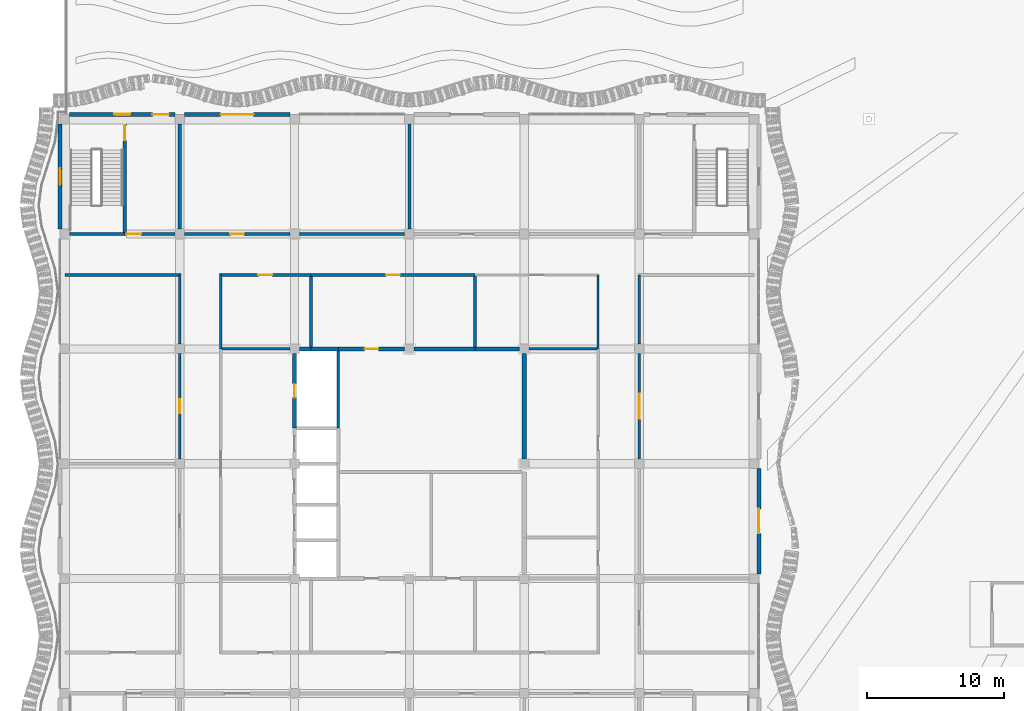
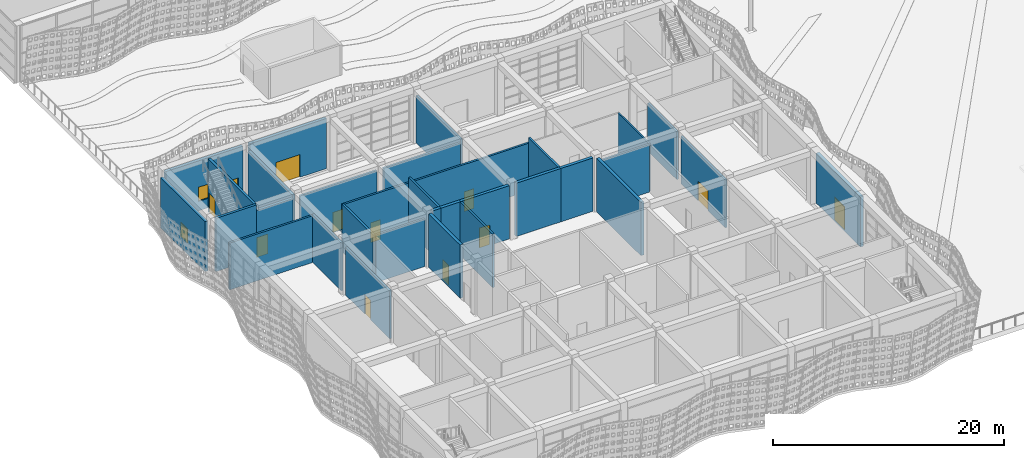
# One storey, part 100 of 210: 32 walls, 12 doors, 2 windows, 14 openings.
"""IFC4 building model written with IfcOpenShell, lengths in metres."""

from ifc_helpers import new_model, si_unit, direction, frame, frame_2d, origin, place, context, subcontext, project, spatial, rectangle, extrude, material, layer, layer_set, type_object, element, fill, save


model = new_model("IFC4")

# Units and contexts
model_context = context("Model", 3, precision=1e-05, world=origin(), true_north=direction((0.0, 1.0)))
body_context = subcontext(model_context, "Body", "Model", "MODEL_VIEW")
ifc_project = project(units=[si_unit("LENGTHUNIT", "METRE"), si_unit("AREAUNIT", "SQUARE_METRE"), si_unit("VOLUMEUNIT", "CUBIC_METRE"), si_unit("PLANEANGLEUNIT", "RADIAN"), si_unit("MASSUNIT", "GRAM", prefix="KILO")], contexts=[model_context])

# Site, building, storey
site_placement = place(None, origin())
site = spatial("IfcSite", under=ifc_project, at=site_placement, CompositionType="ELEMENT")
building_placement = place(site_placement, origin())
building = spatial("IfcBuilding", under=site, at=building_placement, Name="Rain Tree Exposition and Congress Centre", CompositionType="ELEMENT")
storey_placement = place(building_placement, origin())
storey = spatial("IfcBuildingStorey", under=building, at=storey_placement, Name="L00", CompositionType="ELEMENT", Elevation=0.0)

# Walls
ifc_material_1 = material(Name="Plasterboard on steel stud", Category="steel")
ifc_layer_1 = layer(ifc_material_1, 0.199951171875)
ifc_layer_set_1 = layer_set([ifc_layer_1], Name="Plasterboard on steel stud")
wall_type_1 = type_object("IfcWallType", Name="Wing acoustic partition 200", PredefinedType="PARTITIONING", material=ifc_layer_set_1)
wall_1_placement = place(storey_placement, frame((11.5, 33.60009765625, 0.0), z_axis=(0.0, 0.0, 1.0), x_axis=(1.0, 0.0, 0.0)))
element("IfcWall", 1, at=wall_1_placement, inside=storey, type_object=wall_type_1, Name="wing/wall/L00/031", PredefinedType="PARTITIONING", context=body_context, shape_type="SweptSolid", body=[
    extrude(rectangle(XDim=4.949951171875, YDim=0.199951171875, at=frame_2d((2.47509765625, 0.0))), origin(), (0.0, 0.0, 1.0), 5.050048828125),
])
wall_2_placement = place(storey_placement, frame((0.0, 39.0, 0.0), z_axis=(0.0, 0.0, 1.0), x_axis=(1.0, 0.0, 0.0)))
element("IfcWall", 2, at=wall_2_placement, inside=storey, type_object=wall_type_1, Name="wing/wall/L00/038", PredefinedType="PARTITIONING", context=body_context, shape_type="SweptSolid", body=[
    extrude(rectangle(XDim=8.5, YDim=0.199951171875, at=frame_2d((4.25, 0.0))), origin(), (0.0, 0.0, 1.0), 4.949951171875),
])

# Wall, opening, door
wall_3_placement = place(storey_placement, frame((11.300048828125, 39.0, 0.0), z_axis=(0.0, 0.0, 1.0), x_axis=(1.0, 0.0, 0.0)))
wall_3 = element("IfcWall", 3, at=wall_3_placement, inside=storey, type_object=wall_type_1, Name="wing/wall/L00/039", PredefinedType="PARTITIONING", context=body_context, shape_type="SweptSolid", body=[
    extrude(rectangle(XDim=6.699951171875, YDim=0.199951171875, at=frame_2d((3.35009765625, 0.0))), origin(), (0.0, 0.0, 1.0), 5.050048828125),
])
opening_1_placement = place(wall_3_placement, frame((2.85009765625, 0.0, 0.0)))
opening_1 = element("IfcOpeningElement", 4, at=opening_1_placement, cuts=wall_3, Name="Opening DW133", PredefinedType="OPENING", context=body_context, shape_type="SweptSolid", body=[
    extrude(rectangle(XDim=1.0, YDim=2.10009765625, at=frame_2d((0.5, 1.050048828125))), frame((0.0, 0.10009765625, 0.0), z_axis=(0.0, -1.0, 0.0), x_axis=(1.0, 0.0, 0.0)), (0.0, 0.0, 1.0), 0.199951171875),
])
ifc_material_2 = material(Name="Timber door leaf", Category="wood")
door_type_1 = type_object("IfcDoorType", Name="Wing door FD30S 1000x2100", OperationType="NOTDEFINED", PredefinedType="DOOR", material=ifc_material_2)
door_1_placement = place(opening_1_placement, origin())
door_1 = element("IfcDoor", 5, at=door_1_placement, inside=storey, type_object=door_type_1, Name="Door DW133", OperationType="SINGLE_SWING_LEFT", OverallHeight=2.10009765625, OverallWidth=1.0, PredefinedType="DOOR", context=body_context, shape_type="SweptSolid", body=[
    extrude(rectangle(XDim=1.0, YDim=2.10009765625, at=frame_2d((0.5, 1.050048828125))), frame((0.0, 0.02490234375, 0.0), z_axis=(0.0, -1.0, 0.0), x_axis=(1.0, 0.0, 0.0)), (0.0, 0.0, 1.0), 0.050048828125),
])
fill(opening_1, door_1)

wall_4_placement = place(storey_placement, frame((8.75, 42.0, 0.0), z_axis=(0.0, 0.0, 1.0), x_axis=(1.0, 0.0, 0.0)))
wall_4 = element("IfcWall", 6, at=wall_4_placement, inside=storey, type_object=wall_type_1, Name="wing/wall/L00/045", PredefinedType="PARTITIONING", context=body_context, shape_type="SweptSolid", body=[
    extrude(rectangle(XDim=7.699951171875, YDim=0.199951171875, at=frame_2d((3.85009765625, 0.0))), origin(), (0.0, 0.0, 1.0), 5.050048828125),
])
opening_2_placement = place(wall_4_placement, frame((3.35009765625, 0.0, 0.0)))
opening_2 = element("IfcOpeningElement", 7, at=opening_2_placement, cuts=wall_4, Name="Opening DW129", PredefinedType="OPENING", context=body_context, shape_type="SweptSolid", body=[
    extrude(rectangle(XDim=1.0, YDim=2.10009765625, at=frame_2d((0.5, 1.050048828125))), frame((0.0, 0.10009765625, 0.0), z_axis=(0.0, -1.0, 0.0), x_axis=(1.0, 0.0, 0.0)), (0.0, 0.0, 1.0), 0.199951171875),
])
door_2_placement = place(opening_2_placement, origin())
door_2 = element("IfcDoor", 8, at=door_2_placement, inside=storey, type_object=door_type_1, Name="Door DW129", OperationType="SINGLE_SWING_LEFT", OverallHeight=2.10009765625, OverallWidth=1.0, PredefinedType="DOOR", context=body_context, shape_type="SweptSolid", body=[
    extrude(rectangle(XDim=1.0, YDim=2.10009765625, at=frame_2d((0.5, 1.050048828125))), frame((0.0, 0.02490234375, 0.0), z_axis=(0.0, -1.0, 0.0), x_axis=(1.0, 0.0, 0.0)), (0.0, 0.0, 1.0), 0.050048828125),
])
fill(opening_2, door_2)

# Wall
wall_5_placement = place(storey_placement, frame((17.14990234375, 42.0, 0.0), z_axis=(0.0, 0.0, 1.0), x_axis=(1.0, 0.0, 0.0)))
element("IfcWall", 9, at=wall_5_placement, inside=storey, type_object=wall_type_1, Name="wing/wall/L00/046", PredefinedType="PARTITIONING", context=body_context, shape_type="SweptSolid", body=[
    extrude(rectangle(XDim=7.7001953125, YDim=0.199951171875, at=frame_2d((3.85009765625, 0.0))), origin(), (0.0, 0.0, 1.0), 5.050048828125),
])

# Wall, opening, door
wall_6_placement = place(storey_placement, frame((8.39990234375, 25.550048828125, 0.0), z_axis=(0.0, 0.0, 1.0), x_axis=(0.0, 1.0, 0.0)))
wall_6 = element("IfcWall", 10, at=wall_6_placement, inside=storey, type_object=wall_type_1, Name="wing/wall/L00/056", PredefinedType="PARTITIONING", context=body_context, shape_type="SweptSolid", body=[
    extrude(rectangle(XDim=7.699951171875, YDim=0.199951171875, at=frame_2d((3.85009765625, 0.0))), origin(), (0.0, 0.0, 1.0), 5.050048828125),
])
opening_3_placement = place(wall_6_placement, frame((3.35009765625, 0.0, 0.0)))
opening_3 = element("IfcOpeningElement", 11, at=opening_3_placement, cuts=wall_6, Name="Opening DW128", PredefinedType="OPENING", context=body_context, shape_type="SweptSolid", body=[
    extrude(rectangle(XDim=1.0, YDim=2.10009765625, at=frame_2d((0.5, 1.050048828125))), frame((0.0, 0.10009765625, 0.0), z_axis=(0.0, -1.0, 0.0), x_axis=(1.0, 0.0, 0.0)), (0.0, 0.0, 1.0), 0.199951171875),
])
door_3_placement = place(opening_3_placement, origin())
door_3 = element("IfcDoor", 12, at=door_3_placement, inside=storey, type_object=door_type_1, Name="Door DW128", OperationType="SINGLE_SWING_LEFT", OverallHeight=2.10009765625, OverallWidth=1.0, PredefinedType="DOOR", context=body_context, shape_type="SweptSolid", body=[
    extrude(rectangle(XDim=1.0, YDim=2.10009765625, at=frame_2d((0.5, 1.050048828125))), frame((0.0, 0.02490234375, 0.0), z_axis=(0.0, -1.0, 0.0), x_axis=(1.0, 0.0, 0.0)), (0.0, 0.0, 1.0), 0.050048828125),
])
fill(opening_3, door_3)

# Walls
wall_7_placement = place(storey_placement, frame((8.39990234375, 33.949951171875, 0.0), z_axis=(0.0, 0.0, 1.0), x_axis=(0.0, 1.0, 0.0)))
element("IfcWall", 13, at=wall_7_placement, inside=storey, type_object=wall_type_1, Name="wing/wall/L00/057", PredefinedType="PARTITIONING", context=body_context, shape_type="SweptSolid", body=[
    extrude(rectangle(XDim=5.050048828125, YDim=0.199951171875, at=frame_2d((2.52490234375, 0.0))), origin(), (0.0, 0.0, 1.0), 5.050048828125),
])
wall_8_placement = place(storey_placement, frame((11.39990234375, 33.60009765625, 0.0), z_axis=(0.0, 0.0, 1.0), x_axis=(0.0, 1.0, 0.0)))
element("IfcWall", 14, at=wall_8_placement, inside=storey, type_object=wall_type_1, Name="wing/wall/L00/061", PredefinedType="PARTITIONING", context=body_context, shape_type="SweptSolid", body=[
    extrude(rectangle(XDim=5.39990234375, YDim=0.199951171875, at=frame_2d((2.699951171875, 0.0))), origin(), (0.0, 0.0, 1.0), 5.050048828125),
])
wall_9_placement = place(storey_placement, frame((25.199951171875, 42.35009765625, 0.0), z_axis=(0.0, 0.0, 1.0), x_axis=(0.0, 1.0, 0.0)))
element("IfcWall", 15, at=wall_9_placement, inside=storey, type_object=wall_type_1, Name="wing/wall/L00/076", PredefinedType="PARTITIONING", context=body_context, shape_type="SweptSolid", body=[
    extrude(rectangle(XDim=7.699951171875, YDim=0.199951171875, at=frame_2d((3.85009765625, 0.0))), origin(), (0.0, 0.0, 1.0), 5.050048828125),
])

# Wall, opening, door
wall_10_placement = place(storey_placement, frame((42.0, 25.550048828125, 0.0), z_axis=(0.0, 0.0, 1.0), x_axis=(0.0, 1.0, 0.0)))
wall_10 = element("IfcWall", 16, at=wall_10_placement, inside=storey, type_object=wall_type_1, Name="wing/wall/L00/091", PredefinedType="PARTITIONING", context=body_context, shape_type="SweptSolid", body=[
    extrude(rectangle(XDim=7.699951171875, YDim=0.199951171875, at=frame_2d((3.85009765625, 0.0))), origin(), (0.0, 0.0, 1.0), 5.050048828125),
])
opening_4_placement = place(wall_10_placement, frame((2.949951171875, 0.0, 0.0)))
opening_4 = element("IfcOpeningElement", 17, at=opening_4_placement, cuts=wall_10, Name="Opening DW126", PredefinedType="OPENING", context=body_context, shape_type="SweptSolid", body=[
    extrude(rectangle(XDim=1.800048828125, YDim=2.10009765625, at=frame_2d((0.89990234375, 1.050048828125))), frame((0.0, 0.10009765625, 0.0), z_axis=(0.0, -1.0, 0.0), x_axis=(1.0, 0.0, 0.0)), (0.0, 0.0, 1.0), 0.199951171875),
])
ifc_material_3 = material(Name="Timber door leaf", Category="wood")
door_type_2 = type_object("IfcDoorType", Name="Wing door FD30S 1800x2100 double", OperationType="DOUBLE_DOOR_DOUBLE_SWING", PredefinedType="DOOR", material=ifc_material_3)
door_4_placement = place(opening_4_placement, origin())
door_4 = element("IfcDoor", 18, at=door_4_placement, inside=storey, type_object=door_type_2, Name="Door DW126", OperationType="DOUBLE_DOOR_DOUBLE_SWING", OverallHeight=2.10009765625, OverallWidth=1.800048828125, PredefinedType="DOOR", context=body_context, shape_type="SweptSolid", body=[
    extrude(rectangle(XDim=1.800048828125, YDim=2.10009765625, at=frame_2d((0.89990234375, 1.050048828125))), frame((0.0, 0.02490234375, 0.0), z_axis=(0.0, -1.0, 0.0), x_axis=(1.0, 0.0, 0.0)), (0.0, 0.0, 1.0), 0.050048828125),
])
fill(opening_4, door_4)

# Walls
wall_11_placement = place(storey_placement, frame((42.0, 33.949951171875, 0.0), z_axis=(0.0, 0.0, 1.0), x_axis=(0.0, 1.0, 0.0)))
element("IfcWall", 19, at=wall_11_placement, inside=storey, type_object=wall_type_1, Name="wing/wall/L00/092", PredefinedType="PARTITIONING", context=body_context, shape_type="SweptSolid", body=[
    extrude(rectangle(XDim=5.050048828125, YDim=0.199951171875, at=frame_2d((2.52490234375, 0.0))), origin(), (0.0, 0.0, 1.0), 5.050048828125),
])
ifc_material_4 = material(Name="Concrete C40/50", Category="concrete")
ifc_layer_2 = layer(ifc_material_4, 0.300048828125)
ifc_layer_set_2 = layer_set([ifc_layer_2], Name="Concrete C40/50")
wall_type_2 = type_object("IfcWallType", Name="Wing core wall 300", PredefinedType="SHEAR", material=ifc_layer_set_2)
wall_12_placement = place(storey_placement, frame((17.14990234375, 33.60009765625, 0.0), z_axis=(0.0, 0.0, 1.0), x_axis=(1.0, 0.0, 0.0)))
element("IfcWall", 20, at=wall_12_placement, inside=storey, type_object=wall_type_2, Name="wing/wall/L00/032", PredefinedType="SHEAR", context=body_context, shape_type="SweptSolid", body=[
    extrude(rectangle(XDim=0.85009765625, YDim=0.300048828125, at=frame_2d((0.425048828125, 0.0))), origin(), (0.0, 0.0, 1.0), 5.64990234375),
])
wall_13_placement = place(storey_placement, frame((18.0, 33.60009765625, 0.0), z_axis=(0.0, 0.0, 1.0), x_axis=(1.0, 0.0, 0.0)))
element("IfcWall", 21, at=wall_13_placement, inside=storey, type_object=wall_type_2, Name="wing/wall/L00/033", PredefinedType="SHEAR", context=body_context, shape_type="SweptSolid", body=[
    extrude(rectangle(XDim=2.0, YDim=0.300048828125, at=frame_2d((1.0, 0.0))), origin(), (0.0, 0.0, 1.0), 5.64990234375),
])

# Wall, opening, door
wall_14_placement = place(storey_placement, frame((20.0, 33.60009765625, 0.0), z_axis=(0.0, 0.0, 1.0), x_axis=(1.0, 0.0, 0.0)))
wall_14 = element("IfcWall", 22, at=wall_14_placement, inside=storey, type_object=wall_type_2, Name="wing/wall/L00/034", PredefinedType="SHEAR", context=body_context, shape_type="SweptSolid", body=[
    extrude(rectangle(XDim=4.85009765625, YDim=0.300048828125, at=frame_2d((2.425048828125, 0.0))), origin(), (0.0, 0.0, 1.0), 5.64990234375),
])
opening_5_placement = place(wall_14_placement, frame((1.925048828125, 0.0, 0.0)))
opening_5 = element("IfcOpeningElement", 23, at=opening_5_placement, cuts=wall_14, Name="Opening DW116", PredefinedType="OPENING", context=body_context, shape_type="SweptSolid", body=[
    extrude(rectangle(XDim=1.0, YDim=2.10009765625, at=frame_2d((0.5, 1.050048828125))), frame((0.0, 0.14990234375, 0.0), z_axis=(0.0, -1.0, 0.0), x_axis=(1.0, 0.0, 0.0)), (0.0, 0.0, 1.0), 0.300048828125),
])
ifc_material_5 = material(Name="Timber door leaf", Category="wood")
door_type_3 = type_object("IfcDoorType", Name="Wing door FD60 1000x2100", OperationType="NOTDEFINED", PredefinedType="DOOR", material=ifc_material_5)
door_5_placement = place(opening_5_placement, origin())
door_5 = element("IfcDoor", 24, at=door_5_placement, inside=storey, type_object=door_type_3, Name="Door DW116", OperationType="SINGLE_SWING_LEFT", OverallHeight=2.10009765625, OverallWidth=1.0, PredefinedType="DOOR", context=body_context, shape_type="SweptSolid", body=[
    extrude(rectangle(XDim=1.0, YDim=2.10009765625, at=frame_2d((0.5, 1.050048828125))), frame((0.0, 0.02490234375, 0.0), z_axis=(0.0, -1.0, 0.0), x_axis=(1.0, 0.0, 0.0)), (0.0, 0.0, 1.0), 0.050048828125),
])
fill(opening_5, door_5)

# Walls
wall_15_placement = place(storey_placement, frame((25.550048828125, 33.60009765625, 0.0), z_axis=(0.0, 0.0, 1.0), x_axis=(1.0, 0.0, 0.0)))
element("IfcWall", 25, at=wall_15_placement, inside=storey, type_object=wall_type_2, Name="wing/wall/L00/035", PredefinedType="SHEAR", context=body_context, shape_type="SweptSolid", body=[
    extrude(rectangle(XDim=4.449951171875, YDim=0.300048828125, at=frame_2d((2.22509765625, 0.0))), origin(), (0.0, 0.0, 1.0), 5.64990234375),
])
wall_16_placement = place(storey_placement, frame((30.0, 33.60009765625, 0.0), z_axis=(0.0, 0.0, 1.0), x_axis=(1.0, 0.0, 0.0)))
element("IfcWall", 26, at=wall_16_placement, inside=storey, type_object=wall_type_2, Name="wing/wall/L00/036", PredefinedType="SHEAR", context=body_context, shape_type="SweptSolid", body=[
    extrude(rectangle(XDim=3.25, YDim=0.300048828125, at=frame_2d((1.625, 0.0))), origin(), (0.0, 0.0, 1.0), 5.64990234375),
])

# Wall, opening, door
wall_17_placement = place(storey_placement, frame((16.800048828125, 27.800048828125, 0.0), z_axis=(0.0, 0.0, 1.0), x_axis=(0.0, 1.0, 0.0)))
wall_17 = element("IfcWall", 27, at=wall_17_placement, inside=storey, type_object=wall_type_2, Name="wing/wall/L00/066", PredefinedType="SHEAR", context=body_context, shape_type="SweptSolid", body=[
    extrude(rectangle(XDim=5.449951171875, YDim=0.300048828125, at=frame_2d((2.72509765625, 0.0))), origin(), (0.0, 0.0, 1.0), 5.64990234375),
])
opening_6_placement = place(wall_17_placement, frame((2.22509765625, 0.0, 0.0)))
opening_6 = element("IfcOpeningElement", 28, at=opening_6_placement, cuts=wall_17, Name="Opening DW113", PredefinedType="OPENING", context=body_context, shape_type="SweptSolid", body=[
    extrude(rectangle(XDim=1.0, YDim=2.10009765625, at=frame_2d((0.5, 1.050048828125))), frame((0.0, 0.14990234375, 0.0), z_axis=(0.0, -1.0, 0.0), x_axis=(1.0, 0.0, 0.0)), (0.0, 0.0, 1.0), 0.300048828125),
])
ifc_material_6 = material(Name="Timber door leaf", Category="wood")
door_type_4 = type_object("IfcDoorType", Name="Wing riser access door FD60 1000x2100", OperationType="NOTDEFINED", PredefinedType="DOOR", material=ifc_material_6)
door_6_placement = place(opening_6_placement, origin())
door_6 = element("IfcDoor", 29, at=door_6_placement, inside=storey, type_object=door_type_4, Name="Riser access door DW113", OperationType="SINGLE_SWING_LEFT", OverallHeight=2.10009765625, OverallWidth=1.0, PredefinedType="DOOR", context=body_context, shape_type="SweptSolid", body=[
    extrude(rectangle(XDim=1.0, YDim=2.10009765625, at=frame_2d((0.5, 1.050048828125))), frame((0.0, 0.02490234375, 0.0), z_axis=(0.0, -1.0, 0.0), x_axis=(1.0, 0.0, 0.0)), (0.0, 0.0, 1.0), 0.050048828125),
])
fill(opening_6, door_6)

# Wall
wall_18_placement = place(storey_placement, frame((33.60009765625, 25.550048828125, 0.0), z_axis=(0.0, 0.0, 1.0), x_axis=(0.0, 1.0, 0.0)))
element("IfcWall", 30, at=wall_18_placement, inside=storey, type_object=wall_type_2, Name="wing/wall/L00/083", PredefinedType="SHEAR", context=body_context, shape_type="SweptSolid", body=[
    extrude(rectangle(XDim=7.699951171875, YDim=0.300048828125, at=frame_2d((3.85009765625, 0.0))), origin(), (0.0, 0.0, 1.0), 5.64990234375),
])

# Wall, openings, door, window
ifc_material_7 = material(Name="Insulated cavity wall")
ifc_layer_3 = layer(ifc_material_7, 0.300048828125)
ifc_layer_set_3 = layer_set([ifc_layer_3], Name="Insulated cavity wall")
wall_type_3 = type_object("IfcWallType", Name="Wing external wall 300", PredefinedType="SOLIDWALL", material=ifc_layer_set_3)
wall_19_placement = place(storey_placement, frame((0.35009765625, 50.75, 0.0), z_axis=(0.0, 0.0, 1.0), x_axis=(1.0, 0.0, 0.0)))
wall_19 = element("IfcWall", 31, at=wall_19_placement, inside=storey, type_object=wall_type_3, Name="wing/facade/L00/N0", PredefinedType="SOLIDWALL", context=body_context, shape_type="SweptSolid", body=[
    extrude(rectangle(XDim=7.699951171875, YDim=0.300048828125, at=frame_2d((3.85009765625, 0.0))), origin(), (0.0, 0.0, 1.0), 5.300048828125),
])
opening_7_placement = place(wall_19_placement, frame((3.25, 0.0, 1.0)))
opening_7 = element("IfcOpeningElement", 32, at=opening_7_placement, cuts=wall_19, Name="Opening WW103", PredefinedType="OPENING", context=body_context, shape_type="SweptSolid", body=[
    extrude(rectangle(XDim=1.199951171875, YDim=1.5, at=frame_2d((0.60009765625, 0.75))), frame((0.0, 0.14990234375, 0.0), z_axis=(0.0, -1.0, 0.0), x_axis=(1.0, 0.0, 0.0)), (0.0, 0.0, 1.0), 0.300048828125),
])
opening_8_placement = place(wall_19_placement, frame((6.050048828125, 0.0, 0.0)))
opening_8 = element("IfcOpeningElement", 33, at=opening_8_placement, cuts=wall_19, Name="Opening DW171", PredefinedType="OPENING", context=body_context, shape_type="SweptSolid", body=[
    extrude(rectangle(XDim=1.199951171875, YDim=2.10009765625, at=frame_2d((0.60009765625, 1.050048828125))), frame((0.0, 0.14990234375, 0.0), z_axis=(0.0, -1.0, 0.0), x_axis=(1.0, 0.0, 0.0)), (0.0, 0.0, 1.0), 0.300048828125),
])
ifc_material_8 = material(Name="Steel door leaf", Category="steel")
door_type_5 = type_object("IfcDoorType", Name="Wing exit door 1200x2100", OperationType="NOTDEFINED", PredefinedType="DOOR", material=ifc_material_8)
door_7_placement = place(opening_8_placement, origin())
door_7 = element("IfcDoor", 34, at=door_7_placement, inside=storey, type_object=door_type_5, Name="Door DW171", OperationType="SINGLE_SWING_RIGHT", OverallHeight=2.10009765625, OverallWidth=1.199951171875, PredefinedType="DOOR", context=body_context, shape_type="SweptSolid", body=[
    extrude(rectangle(XDim=1.199951171875, YDim=2.10009765625, at=frame_2d((0.60009765625, 1.050048828125))), frame((0.0, 0.02490234375, 0.0), z_axis=(0.0, -1.0, 0.0), x_axis=(1.0, 0.0, 0.0)), (0.0, 0.0, 1.0), 0.050048828125),
])
fill(opening_8, door_7)
ifc_material_9 = material(Name="Aluminium framed glazing", Category="aluminium")
window_type = type_object("IfcWindowType", Name="Wing window 1200x1500", PartitioningType="SINGLE_PANEL", PredefinedType="WINDOW", material=ifc_material_9)
window_1_placement = place(opening_7_placement, origin())
window_1 = element("IfcWindow", 35, at=window_1_placement, inside=storey, type_object=window_type, Name="wing/window/L00/03", OverallHeight=1.5, OverallWidth=1.199951171875, PartitioningType="SINGLE_PANEL", PredefinedType="WINDOW", context=body_context, shape_type="SweptSolid", body=[
    extrude(rectangle(XDim=1.199951171875, YDim=1.5, at=frame_2d((0.60009765625, 0.75))), frame((0.0, 0.030029296875, 0.0), z_axis=(0.0, -1.0, 0.0), x_axis=(1.0, 0.0, 0.0)), (0.0, 0.0, 1.0), 0.06005859375),
])
fill(opening_7, window_1)

# Wall, opening, door
wall_20_placement = place(storey_placement, frame((8.75, 50.75, 0.0), z_axis=(0.0, 0.0, 1.0), x_axis=(1.0, 0.0, 0.0)))
wall_20 = element("IfcWall", 36, at=wall_20_placement, inside=storey, type_object=wall_type_3, Name="wing/facade/L00/N1", PredefinedType="SOLIDWALL", context=body_context, shape_type="SweptSolid", body=[
    extrude(rectangle(XDim=7.699951171875, YDim=0.300048828125, at=frame_2d((3.85009765625, 0.0))), origin(), (0.0, 0.0, 1.0), 5.300048828125),
])
opening_9_placement = place(wall_20_placement, frame((2.64990234375, 0.0, 0.0)))
opening_9 = element("IfcOpeningElement", 37, at=opening_9_placement, cuts=wall_20, Name="Opening DW152", PredefinedType="OPENING", context=body_context, shape_type="SweptSolid", body=[
    extrude(rectangle(XDim=2.39990234375, YDim=2.39990234375, at=frame_2d((1.199951171875, 1.199951171875))), frame((0.0, 0.14990234375, 0.0), z_axis=(0.0, -1.0, 0.0), x_axis=(1.0, 0.0, 0.0)), (0.0, 0.0, 1.0), 0.300048828125),
])
ifc_material_10 = material(Name="Glazed aluminium door", Category="aluminium")
door_type_6 = type_object("IfcDoorType", Name="Wing entrance door 2400x2400", OperationType="DOUBLE_DOOR_DOUBLE_SWING", PredefinedType="DOOR", material=ifc_material_10)
door_8_placement = place(opening_9_placement, origin())
door_8 = element("IfcDoor", 38, at=door_8_placement, inside=storey, type_object=door_type_6, Name="Door DW152", OperationType="DOUBLE_DOOR_DOUBLE_SWING", OverallHeight=2.39990234375, OverallWidth=2.39990234375, PredefinedType="DOOR", context=body_context, shape_type="SweptSolid", body=[
    extrude(rectangle(XDim=2.39990234375, YDim=2.39990234375, at=frame_2d((1.199951171875, 1.199951171875))), frame((0.0, 0.02490234375, 0.0), z_axis=(0.0, -1.0, 0.0), x_axis=(1.0, 0.0, 0.0)), (0.0, 0.0, 1.0), 0.050048828125),
])
fill(opening_9, door_8)

# Wall, opening, window
wall_21_placement = place(storey_placement, frame((-0.35009765625, 42.35009765625, 0.0), z_axis=(0.0, 0.0, 1.0), x_axis=(0.0, 1.0, 0.0)))
wall_21 = element("IfcWall", 39, at=wall_21_placement, inside=storey, type_object=wall_type_3, Name="wing/facade/L00/W5", PredefinedType="SOLIDWALL", context=body_context, shape_type="SweptSolid", body=[
    extrude(rectangle(XDim=7.699951171875, YDim=0.300048828125, at=frame_2d((3.85009765625, 0.0))), origin(), (0.0, 0.0, 1.0), 5.300048828125),
])
opening_10_placement = place(wall_21_placement, frame((3.25, 0.0, 1.0)))
opening_10 = element("IfcOpeningElement", 40, at=opening_10_placement, cuts=wall_21, Name="Opening WW106", PredefinedType="OPENING", context=body_context, shape_type="SweptSolid", body=[
    extrude(rectangle(XDim=1.199951171875, YDim=1.5, at=frame_2d((0.60009765625, 0.75))), frame((0.0, 0.14990234375, 0.0), z_axis=(0.0, -1.0, 0.0), x_axis=(1.0, 0.0, 0.0)), (0.0, 0.0, 1.0), 0.300048828125),
])
window_2_placement = place(opening_10_placement, origin())
window_2 = element("IfcWindow", 41, at=window_2_placement, inside=storey, type_object=window_type, Name="wing/window/L00/06", OverallHeight=1.5, OverallWidth=1.199951171875, PartitioningType="SINGLE_PANEL", PredefinedType="WINDOW", context=body_context, shape_type="SweptSolid", body=[
    extrude(rectangle(XDim=1.199951171875, YDim=1.5, at=frame_2d((0.60009765625, 0.75))), frame((0.0, 0.030029296875, 0.0), z_axis=(0.0, -1.0, 0.0), x_axis=(1.0, 0.0, 0.0)), (0.0, 0.0, 1.0), 0.06005859375),
])
fill(opening_10, window_2)

# Wall, opening, door
wall_22_placement = place(storey_placement, frame((50.75, 17.14990234375, 0.0), z_axis=(0.0, 0.0, 1.0), x_axis=(0.0, 1.0, 0.0)))
wall_22 = element("IfcWall", 42, at=wall_22_placement, inside=storey, type_object=wall_type_3, Name="wing/facade/L00/E2", PredefinedType="SOLIDWALL", context=body_context, shape_type="SweptSolid", body=[
    extrude(rectangle(XDim=7.7001953125, YDim=0.300048828125, at=frame_2d((3.85009765625, 0.0))), origin(), (0.0, 0.0, 1.0), 5.300048828125),
])
opening_11_placement = place(wall_22_placement, frame((2.949951171875, 0.0, 0.0)))
opening_11 = element("IfcOpeningElement", 43, at=opening_11_placement, cuts=wall_22, Name="Opening DW155", PredefinedType="OPENING", context=body_context, shape_type="SweptSolid", body=[
    extrude(rectangle(XDim=1.800048828125, YDim=2.39990234375, at=frame_2d((0.89990234375, 1.199951171875))), frame((0.0, 0.14990234375, 0.0), z_axis=(0.0, -1.0, 0.0), x_axis=(1.0, 0.0, 0.0)), (0.0, 0.0, 1.0), 0.300048828125),
])
ifc_material_11 = material(Name="Glazed aluminium door", Category="aluminium")
door_type_7 = type_object("IfcDoorType", Name="Wing entrance door 1800x2400", OperationType="DOUBLE_DOOR_DOUBLE_SWING", PredefinedType="DOOR", material=ifc_material_11)
door_9_placement = place(opening_11_placement, origin())
door_9 = element("IfcDoor", 44, at=door_9_placement, inside=storey, type_object=door_type_7, Name="Door DW155", OperationType="DOUBLE_DOOR_DOUBLE_SWING", OverallHeight=2.39990234375, OverallWidth=1.800048828125, PredefinedType="DOOR", context=body_context, shape_type="SweptSolid", body=[
    extrude(rectangle(XDim=1.800048828125, YDim=2.39990234375, at=frame_2d((0.89990234375, 1.199951171875))), frame((0.0, 0.02490234375, 0.0), z_axis=(0.0, -1.0, 0.0), x_axis=(1.0, 0.0, 0.0)), (0.0, 0.0, 1.0), 0.050048828125),
])
fill(opening_11, door_9)

# Wall
ifc_material_12 = material(Name="Dense blockwork", Category="masonry")
ifc_layer_4 = layer(ifc_material_12, 0.199951171875)
ifc_layer_set_4 = layer_set([ifc_layer_4], Name="Dense blockwork")
wall_type_4 = type_object("IfcWallType", Name="Wing kitchen wall 200", PredefinedType="SOLIDWALL", material=ifc_layer_set_4)
wall_23_placement = place(storey_placement, frame((33.949951171875, 33.60009765625, 0.0), z_axis=(0.0, 0.0, 1.0), x_axis=(1.0, 0.0, 0.0)))
element("IfcWall", 45, at=wall_23_placement, inside=storey, type_object=wall_type_4, Name="wing/wall/L00/037", PredefinedType="SOLIDWALL", context=body_context, shape_type="SweptSolid", body=[
    extrude(rectangle(XDim=4.949951171875, YDim=0.199951171875, at=frame_2d((2.47509765625, 0.0))), origin(), (0.0, 0.0, 1.0), 5.050048828125),
])

# Wall, opening, door
ifc_material_13 = material(Name="Dense blockwork", Category="masonry")
ifc_layer_5 = layer(ifc_material_13, 0.199951171875)
ifc_layer_set_5 = layer_set([ifc_layer_5], Name="Dense blockwork")
wall_type_5 = type_object("IfcWallType", Name="Wing plant room wall 200", PredefinedType="SOLIDWALL", material=ifc_layer_set_5)
wall_24_placement = place(storey_placement, frame((18.0, 39.0, 0.0), z_axis=(0.0, 0.0, 1.0), x_axis=(1.0, 0.0, 0.0)))
wall_24 = element("IfcWall", 46, at=wall_24_placement, inside=storey, type_object=wall_type_5, Name="wing/wall/L00/040", PredefinedType="SOLIDWALL", context=body_context, shape_type="SweptSolid", body=[
    extrude(rectangle(XDim=12.0, YDim=0.199951171875, at=frame_2d((6.0, 0.0))), origin(), (0.0, 0.0, 1.0), 5.050048828125),
])
opening_12_placement = place(wall_24_placement, frame((5.5, 0.0, 0.0)))
opening_12 = element("IfcOpeningElement", 47, at=opening_12_placement, cuts=wall_24, Name="Opening DW119", PredefinedType="OPENING", context=body_context, shape_type="SweptSolid", body=[
    extrude(rectangle(XDim=1.0, YDim=2.10009765625, at=frame_2d((0.5, 1.050048828125))), frame((0.0, 0.10009765625, 0.0), z_axis=(0.0, -1.0, 0.0), x_axis=(1.0, 0.0, 0.0)), (0.0, 0.0, 1.0), 0.199951171875),
])
door_10_placement = place(opening_12_placement, origin())
door_10 = element("IfcDoor", 48, at=door_10_placement, inside=storey, type_object=door_type_3, Name="Door DW119", OperationType="SINGLE_SWING_LEFT", OverallHeight=2.10009765625, OverallWidth=1.0, PredefinedType="DOOR", context=body_context, shape_type="SweptSolid", body=[
    extrude(rectangle(XDim=1.0, YDim=2.10009765625, at=frame_2d((0.5, 1.050048828125))), frame((0.0, 0.02490234375, 0.0), z_axis=(0.0, -1.0, 0.0), x_axis=(1.0, 0.0, 0.0)), (0.0, 0.0, 1.0), 0.050048828125),
])
fill(opening_12, door_10)

# Walls
wall_25_placement = place(storey_placement, frame((18.0, 33.75, 0.0), z_axis=(0.0, 0.0, 1.0), x_axis=(0.0, 1.0, 0.0)))
element("IfcWall", 49, at=wall_25_placement, inside=storey, type_object=wall_type_5, Name="wing/wall/L00/068", PredefinedType="SOLIDWALL", context=body_context, shape_type="SweptSolid", body=[
    extrude(rectangle(XDim=5.14990234375, YDim=0.199951171875, at=frame_2d((2.574951171875, 0.0))), origin(), (0.0, 0.0, 1.0), 5.64990234375),
])
wall_26_placement = place(storey_placement, frame((20.0, 27.800048828125, 0.0), z_axis=(0.0, 0.0, 1.0), x_axis=(0.0, 1.0, 0.0)))
element("IfcWall", 50, at=wall_26_placement, inside=storey, type_object=wall_type_5, Name="wing/wall/L00/074", PredefinedType="SOLIDWALL", context=body_context, shape_type="SweptSolid", body=[
    extrude(rectangle(XDim=5.64990234375, YDim=0.199951171875, at=frame_2d((2.824951171875, 0.0))), origin(), (0.0, 0.0, 1.0), 5.64990234375),
])
wall_27_placement = place(storey_placement, frame((30.0, 33.75, 0.0), z_axis=(0.0, 0.0, 1.0), x_axis=(0.0, 1.0, 0.0)))
element("IfcWall", 51, at=wall_27_placement, inside=storey, type_object=wall_type_5, Name="wing/wall/L00/079", PredefinedType="SOLIDWALL", context=body_context, shape_type="SweptSolid", body=[
    extrude(rectangle(XDim=5.14990234375, YDim=0.199951171875, at=frame_2d((2.574951171875, 0.0))), origin(), (0.0, 0.0, 1.0), 5.64990234375),
])
ifc_material_14 = material(Name="Concrete C40/50", Category="concrete")
ifc_layer_6 = layer(ifc_material_14, 0.25)
ifc_layer_set_6 = layer_set([ifc_layer_6], Name="Concrete C40/50")
wall_type_6 = type_object("IfcWallType", Name="Wing stair wall 250", PredefinedType="SHEAR", material=ifc_layer_set_6)
wall_28_placement = place(storey_placement, frame((0.35009765625, 42.0, 0.0), z_axis=(0.0, 0.0, 1.0), x_axis=(1.0, 0.0, 0.0)))
element("IfcWall", 52, at=wall_28_placement, inside=storey, type_object=wall_type_6, Name="wing/wall/L00/043", PredefinedType="SHEAR", context=body_context, shape_type="SweptSolid", body=[
    extrude(rectangle(XDim=4.02490234375, YDim=0.25, at=frame_2d((2.012451171875, 0.0))), origin(), (0.0, 0.0, 1.0), 5.64990234375),
])

# Wall, opening, door
wall_29_placement = place(storey_placement, frame((4.375, 42.0, 0.0), z_axis=(0.0, 0.0, 1.0), x_axis=(1.0, 0.0, 0.0)))
wall_29 = element("IfcWall", 53, at=wall_29_placement, inside=storey, type_object=wall_type_6, Name="wing/wall/L00/044", PredefinedType="SHEAR", context=body_context, shape_type="SweptSolid", body=[
    extrude(rectangle(XDim=3.675048828125, YDim=0.25, at=frame_2d((1.83740234375, 0.0))), origin(), (0.0, 0.0, 1.0), 5.050048828125),
])
opening_13_placement = place(wall_29_placement, frame((0.10009765625, 0.0, 0.0)))
opening_13 = element("IfcOpeningElement", 54, at=opening_13_placement, cuts=wall_29, Name="Opening DW106", PredefinedType="OPENING", context=body_context, shape_type="SweptSolid", body=[
    extrude(rectangle(XDim=1.10009765625, YDim=2.10009765625, at=frame_2d((0.550048828125, 1.050048828125))), frame((0.0, 0.125, 0.0), z_axis=(0.0, -1.0, 0.0), x_axis=(1.0, 0.0, 0.0)), (0.0, 0.0, 1.0), 0.25),
])
ifc_material_15 = material(Name="Timber door leaf", Category="wood")
door_type_8 = type_object("IfcDoorType", Name="Wing door FD60 1100x2100", OperationType="NOTDEFINED", PredefinedType="DOOR", material=ifc_material_15)
door_11_placement = place(opening_13_placement, origin())
door_11 = element("IfcDoor", 55, at=door_11_placement, inside=storey, type_object=door_type_8, Name="Door DW106", OperationType="SINGLE_SWING_LEFT", OverallHeight=2.10009765625, OverallWidth=1.10009765625, PredefinedType="DOOR", context=body_context, shape_type="SweptSolid", body=[
    extrude(rectangle(XDim=1.10009765625, YDim=2.10009765625, at=frame_2d((0.550048828125, 1.050048828125))), frame((0.0, 0.02490234375, 0.0), z_axis=(0.0, -1.0, 0.0), x_axis=(1.0, 0.0, 0.0)), (0.0, 0.0, 1.0), 0.050048828125),
])
fill(opening_13, door_11)

wall_30_placement = place(storey_placement, frame((4.375, 42.125, 0.0), z_axis=(0.0, 0.0, 1.0), x_axis=(0.0, 1.0, 0.0)))
wall_30 = element("IfcWall", 56, at=wall_30_placement, inside=storey, type_object=wall_type_6, Name="wing/wall/L00/052", PredefinedType="SHEAR", context=body_context, shape_type="SweptSolid", body=[
    extrude(rectangle(XDim=7.925048828125, YDim=0.25, at=frame_2d((3.96240234375, 0.0))), origin(), (0.0, 0.0, 1.0), 5.64990234375),
])
opening_14_placement = place(wall_30_placement, frame((6.72509765625, 0.0, 0.0)))
opening_14 = element("IfcOpeningElement", 57, at=opening_14_placement, cuts=wall_30, Name="Opening DW105", PredefinedType="OPENING", context=body_context, shape_type="SweptSolid", body=[
    extrude(rectangle(XDim=1.10009765625, YDim=2.10009765625, at=frame_2d((0.550048828125, 1.050048828125))), frame((0.0, 0.125, 0.0), z_axis=(0.0, -1.0, 0.0), x_axis=(1.0, 0.0, 0.0)), (0.0, 0.0, 1.0), 0.25),
])
door_12_placement = place(opening_14_placement, origin())
door_12 = element("IfcDoor", 58, at=door_12_placement, inside=storey, type_object=door_type_8, Name="Door DW105", OperationType="SINGLE_SWING_RIGHT", OverallHeight=2.10009765625, OverallWidth=1.10009765625, PredefinedType="DOOR", context=body_context, shape_type="SweptSolid", body=[
    extrude(rectangle(XDim=1.10009765625, YDim=2.10009765625, at=frame_2d((0.550048828125, 1.050048828125))), frame((0.0, 0.02490234375, 0.0), z_axis=(0.0, -1.0, 0.0), x_axis=(1.0, 0.0, 0.0)), (0.0, 0.0, 1.0), 0.050048828125),
])
fill(opening_14, door_12)

# Walls
wall_31_placement = place(storey_placement, frame((8.39990234375, 42.35009765625, 0.0), z_axis=(0.0, 0.0, 1.0), x_axis=(0.0, 1.0, 0.0)))
element("IfcWall", 59, at=wall_31_placement, inside=storey, type_object=wall_type_6, Name="wing/wall/L00/058", PredefinedType="SHEAR", context=body_context, shape_type="SweptSolid", body=[
    extrude(rectangle(XDim=7.699951171875, YDim=0.25, at=frame_2d((3.85009765625, 0.0))), origin(), (0.0, 0.0, 1.0), 5.050048828125),
])
ifc_material_16 = material(Name="Plasterboard on steel stud", Category="steel")
ifc_layer_7 = layer(ifc_material_16, 0.14990234375)
ifc_layer_set_7 = layer_set([ifc_layer_7], Name="Plasterboard on steel stud")
wall_type_7 = type_object("IfcWallType", Name="Wing store wall 150", PredefinedType="PARTITIONING", material=ifc_layer_set_7)
wall_32_placement = place(storey_placement, frame((39.0, 33.60009765625, 0.0), z_axis=(0.0, 0.0, 1.0), x_axis=(0.0, 1.0, 0.0)))
element("IfcWall", 60, at=wall_32_placement, inside=storey, type_object=wall_type_7, Name="wing/wall/L00/087", PredefinedType="PARTITIONING", context=body_context, shape_type="SweptSolid", body=[
    extrude(rectangle(XDim=5.39990234375, YDim=0.14990234375, at=frame_2d((2.699951171875, 0.0))), origin(), (0.0, 0.0, 1.0), 5.050048828125),
])

save(model, "model.ifc")
